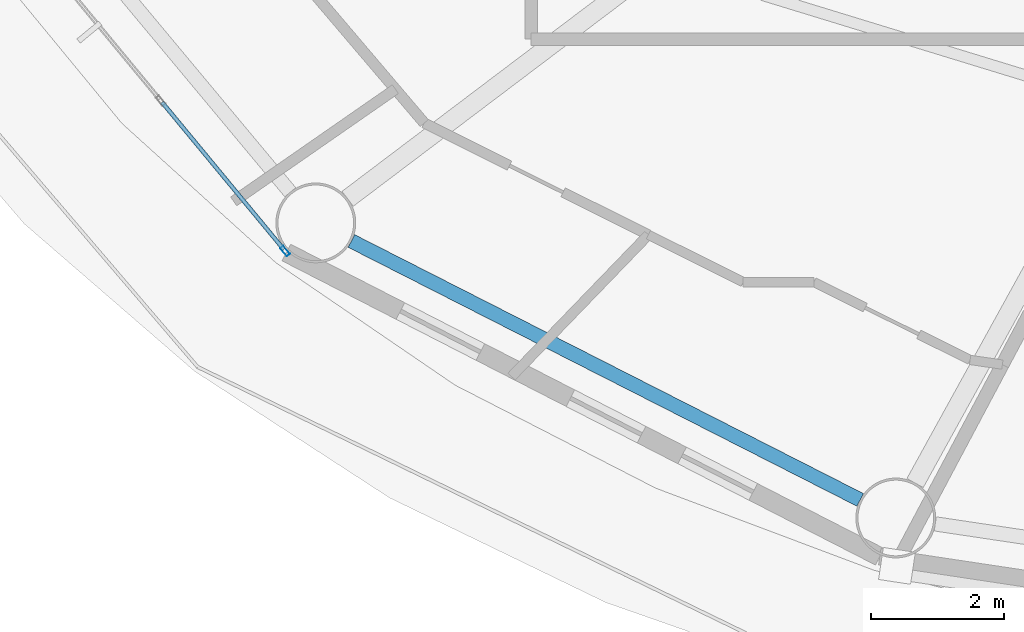
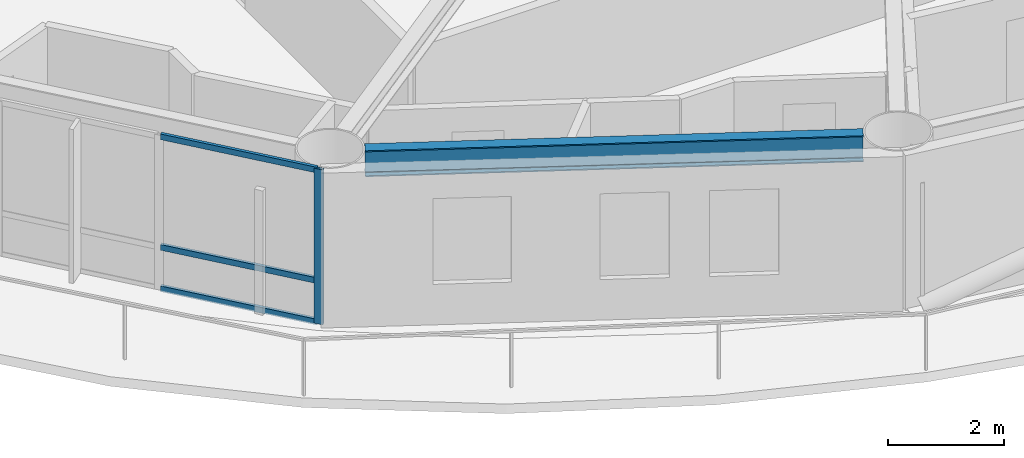
# One storey, part 2 of 28: 4 members, 1 beam, 1 element without a shape of its own.
"""IFC4 building model written with IfcOpenShell, lengths in metres."""

from ifc_helpers import new_model, si_unit, direction, frame, origin, origin_2d, place, context, subcontext, project, spatial, hollow_rectangle, i_section, extrude, material, layer, layer_set, material_profile, profile_set, type_object, element, aggregate, save


model = new_model("IFC4")

# Units and contexts
model_context = context("Model", 3, precision=1e-05, world=origin(), true_north=direction((0.0, 1.0)))
body_context = subcontext(model_context, "Body", "Model", "MODEL_VIEW")
ifc_project = project(units=[si_unit("LENGTHUNIT", "METRE"), si_unit("AREAUNIT", "SQUARE_METRE"), si_unit("VOLUMEUNIT", "CUBIC_METRE"), si_unit("PLANEANGLEUNIT", "RADIAN"), si_unit("MASSUNIT", "GRAM", prefix="KILO")], contexts=[model_context])

# Site, building, storey
site_placement = place(None, origin())
site = spatial("IfcSite", under=ifc_project, at=site_placement, CompositionType="ELEMENT")
building_placement = place(site_placement, origin())
building = spatial("IfcBuilding", under=site, at=building_placement, Name="Sarneth Arch Tower", CompositionType="ELEMENT")
storey_placement = place(building_placement, frame((0.0, 0.0, 197.39990234375)))
storey = spatial("IfcBuildingStorey", under=building, at=storey_placement, Name="L50", CompositionType="ELEMENT", Elevation=197.39990234375)

# Beam
ifc_material_1 = material(Name="Steel S355", Category="steel")
ifc_material_profile_1 = material_profile(ifc_material_1, i_section(OverallWidth=0.214111328125, OverallDepth=0.549072265625, WebThickness=0.0146484375, FlangeThickness=0.023681640625, FilletRadius=0.01806640625, at=origin_2d()), Name="W530x138")
ifc_profile_set_1 = profile_set([ifc_material_profile_1], Name="Steel S355")
beam_type = type_object("IfcBeamType", Name="BM-RAD-530A", PredefinedType="BEAM", material=ifc_profile_set_1)
beam_placement = place(storey_placement, frame((29.40087890625, 27.267578125, 2.9755859375), z_axis=(0.891250372735, -0.453511601945, 0.0), x_axis=(0.453511601945, 0.891250372735, 0.0)))
element("IfcBeam", 1, at=beam_placement, inside=storey, type_object=beam_type, Name="L50 Perimeter spandrel beam 11", PredefinedType="BEAM", context=body_context, shape_type="SweptSolid", body=[
    extrude(i_section(OverallWidth=0.214111328125, OverallDepth=0.549072265625, WebThickness=0.0146484375, FlangeThickness=0.023681640625, FilletRadius=0.01806640625, at=origin_2d()), origin(), (0.0, 0.0, 1.0), 8.5751953125),
])

# Curtain wall, members
ifc_material_2 = material(Name="Anodised aluminium Type AA25 and solar-control low-e laminated IGU", Category="aluminium")
ifc_layer = layer(ifc_material_2, 0.169921875)
ifc_layer_set = layer_set([ifc_layer], Name="Anodised aluminium Type AA25 and solar-control low-e laminated IGU")
curtain_wall_type = type_object("IfcCurtainWallType", Name="CW-RES-MID", PredefinedType="NOTDEFINED", material=ifc_layer_set)
curtain_wall_placement = place(storey_placement, origin())
curtain_wall = element("IfcCurtainWall", 2, at=curtain_wall_placement, inside=storey, type_object=curtain_wall_type, Name="L50 Unitised curtain wall facet 10", PredefinedType="NOTDEFINED")
ifc_material_3 = material(Name="Anodised Aluminium 6063-T6", Category="aluminium")
ifc_material_profile_2 = material_profile(ifc_material_3, hollow_rectangle(XDim=0.06005859375, YDim=0.159912109375, WallThickness=0.00390625, at=origin_2d()), Name="AL-MULL-160x60x4")
ifc_profile_set_2 = profile_set([ifc_material_profile_2], Name="Anodised Aluminium 6063-T6")
member_type_1 = type_object("IfcMemberType", Name="CW-MULLION", PredefinedType="MULLION", material=ifc_profile_set_2)
member_1_placement = place(storey_placement, frame((28.40478515625, 27.1171875, 0.0), z_axis=(0.0, 0.0, 1.0), x_axis=(0.770590741276, 0.637330298558, 0.0)))
member_1 = element("IfcMember", 3, at=member_1_placement, type_object=member_type_1, Name="CW-SYS-5 mullion 4", PredefinedType="MULLION", context=body_context, shape_type="SweptSolid", body=[
    extrude(hollow_rectangle(XDim=0.06005859375, YDim=0.159912109375, WallThickness=0.00390625, at=origin_2d()), origin(), (0.0, 0.0, 1.0), 3.25),
])
ifc_material_4 = material(Name="Anodised Aluminium 6063-T6", Category="aluminium")
ifc_material_profile_3 = material_profile(ifc_material_4, hollow_rectangle(XDim=0.06005859375, YDim=0.1201171875, WallThickness=0.00390625, at=origin_2d()), Name="AL-TRAN-120x60x4")
ifc_profile_set_3 = profile_set([ifc_material_profile_3], Name="Anodised Aluminium 6063-T6")
member_type_2 = type_object("IfcMemberType", Name="CW-TRANSOM", PredefinedType="USERDEFINED", material=ifc_profile_set_3)
member_2_placement = place(storey_placement, frame((26.5576171875, 29.3505859375, 0.030029296875), z_axis=(0.637358651504, -0.770567290607, 0.0), x_axis=(0.770567290607, 0.637358651504, 0.0)))
member_2 = element("IfcMember", 4, at=member_2_placement, type_object=member_type_2, Name="CW-SYS-5 transom 3.1", ObjectType="TRANSOM", PredefinedType="USERDEFINED", context=body_context, shape_type="SweptSolid", body=[
    extrude(hollow_rectangle(XDim=0.06005859375, YDim=0.1201171875, WallThickness=0.00390625, at=origin_2d()), origin(), (0.0, 0.0, 1.0), 2.8681640625),
])
member_3_placement = place(storey_placement, frame((26.5576171875, 29.3505859375, 0.900146484375), z_axis=(0.637358651504, -0.770567290607, 0.0), x_axis=(0.770567290607, 0.637358651504, 0.0)))
member_3 = element("IfcMember", 5, at=member_3_placement, type_object=member_type_2, Name="CW-SYS-5 transom 3.2", ObjectType="TRANSOM", PredefinedType="USERDEFINED", context=body_context, shape_type="SweptSolid", body=[
    extrude(hollow_rectangle(XDim=0.06005859375, YDim=0.1201171875, WallThickness=0.00390625, at=origin_2d()), origin(), (0.0, 0.0, 1.0), 2.8681640625),
])
member_4_placement = place(storey_placement, frame((26.5576171875, 29.3505859375, 3.22021484375), z_axis=(0.637358651504, -0.770567290607, 0.0), x_axis=(0.770567290607, 0.637358651504, 0.0)))
member_4 = element("IfcMember", 6, at=member_4_placement, type_object=member_type_2, Name="CW-SYS-5 transom 3.3", ObjectType="TRANSOM", PredefinedType="USERDEFINED", context=body_context, shape_type="SweptSolid", body=[
    extrude(hollow_rectangle(XDim=0.06005859375, YDim=0.1201171875, WallThickness=0.00390625, at=origin_2d()), origin(), (0.0, 0.0, 1.0), 2.8681640625),
])
aggregate(curtain_wall, [member_1, member_2, member_3, member_4])

save(model, "model.ifc")
